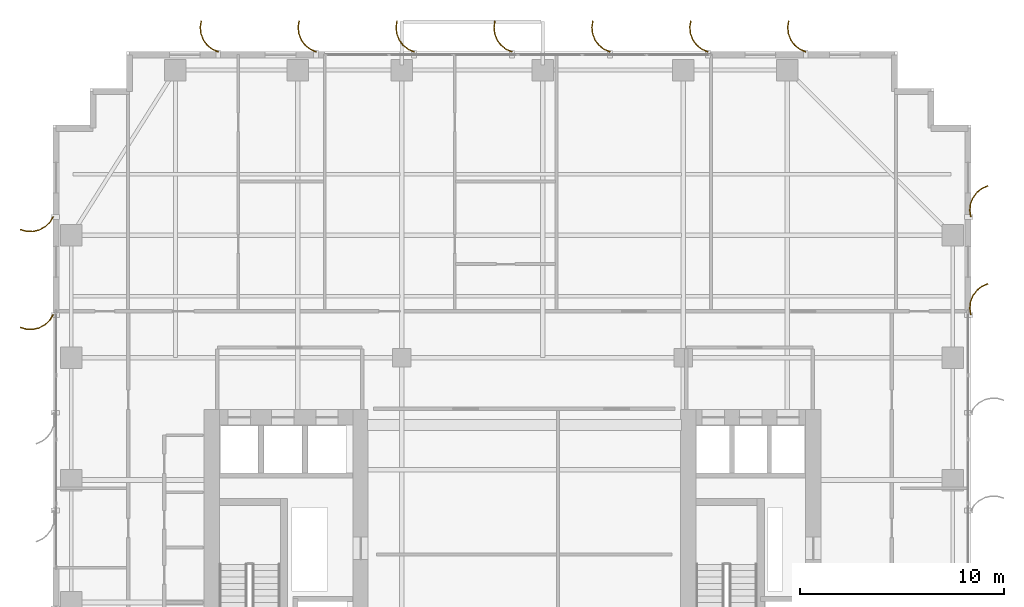
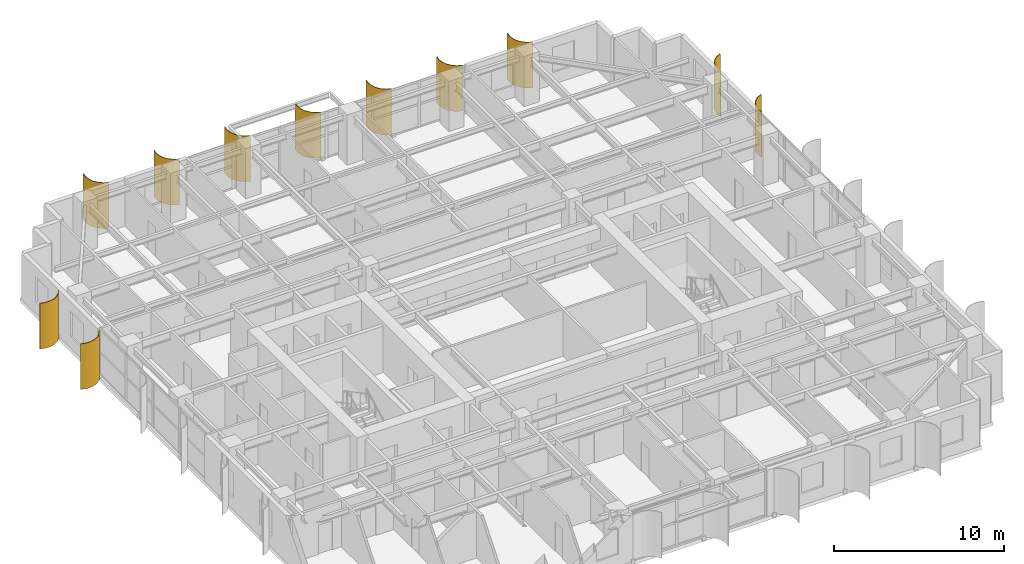
# One storey, part 25 of 25: 11 shading devices.
"""IFC4 building model written with IfcOpenShell, lengths in metres."""

from ifc_helpers import new_model, si_unit, direction, frame, origin, place, context, subcontext, project, spatial, polyline, outline, extrude, source, transform, mapped, material, layer, layer_set, type_object, element, save


model = new_model("IFC4")

# Units and contexts
model_context = context("Model", 3, precision=1e-05, world=origin(), true_north=direction((0.0, 1.0)))
body_context = subcontext(model_context, "Body", "Model", "MODEL_VIEW")
ifc_project = project(units=[si_unit("LENGTHUNIT", "METRE"), si_unit("AREAUNIT", "SQUARE_METRE"), si_unit("VOLUMEUNIT", "CUBIC_METRE"), si_unit("PLANEANGLEUNIT", "RADIAN"), si_unit("MASSUNIT", "GRAM", prefix="KILO")], contexts=[model_context])

# Site, building, storey
site_placement = place(None, origin())
site = spatial("IfcSite", under=ifc_project, at=site_placement, CompositionType="ELEMENT")
building_placement = place(site_placement, origin())
building = spatial("IfcBuilding", under=site, at=building_placement, Name="Khoralis Quay Care Tower", CompositionType="ELEMENT")
storey_placement = place(building_placement, frame((0.0, 0.0, 134.10009765625)))
storey = spatial("IfcBuildingStorey", under=building, at=storey_placement, Name="L35", CompositionType="ELEMENT", Elevation=134.10009765625)

# Shading devices
ifc_material = material(Name="Brushed pale anodised aluminium", Category="aluminium")
ifc_layer = layer(ifc_material, 0.044921875)
ifc_layer_set = layer_set([ifc_layer], Name="Brushed pale anodised aluminium")
shading_device_type = type_object("IfcShadingDeviceType", Name="SHD-FIN-1250", PredefinedType="USERDEFINED", material=ifc_layer_set)
shared_shape_1 = source(origin(), body_context, "Body", "SweptSolid", [
    extrude(outline(polyline([(0.0, 0.0), (0.17041015625, 0.2783203125), (0.4072265625, 0.5029296875), (0.694091796875, 0.658447265625), (1.01123046875, 0.734619140625), (1.33740234375, 0.72607421875), (1.650390625, 0.633544921875), (1.632080078125, 0.59228515625), (1.330322265625, 0.681640625), (1.015869140625, 0.68994140625), (0.710205078125, 0.616455078125), (0.43359375, 0.466552734375), (0.20556640625, 0.25), (0.041015625, -0.018310546875), (0.0, 0.0)])), origin(), (0.0, 0.0, 1.0), 3.27978515625),
])
for number, where, z_axis, x_axis, name in (
    (1, (0.030029296875, 36.89990234375, 0.02001953125), (0.0, 0.0, 1.0), (-1.0, 0.0, 0.0), "L35 Curved Solar Fin P1E15-01"),
    (2, (0.030029296875, 32.10009765625, 0.02001953125), (0.0, 0.0, 1.0), (-1.0, 0.0, 0.0), "L35 Curved Solar Fin P1E15-02"),
):
    element("IfcShadingDevice", number, at=place(storey_placement, frame(where, z_axis=z_axis, x_axis=x_axis)), inside=storey, type_object=shading_device_type, Name=name, ObjectType="FIN", PredefinedType="USERDEFINED", context=body_context, shape_type="MappedRepresentation", body=[
        mapped(shared_shape_1, transform((0.0, 0.0, 0.0), scale=1.0)),
    ])
shared_shape_2 = source(origin(), body_context, "Body", "SweptSolid", [
    extrude(outline(polyline([(0.0, 0.0), (-0.04833984375, 0.32275390625), (-0.01123046875, 0.64697265625), (0.1083984375, 0.950439453125), (0.302490234375, 1.212890625), (0.557861328125, 1.416015625), (0.85693359375, 1.546142578125), (0.869384765625, 1.5029296875), (0.5810546875, 1.37744140625), (0.334716796875, 1.181640625), (0.147705078125, 0.9287109375), (0.032470703125, 0.635986328125), (-0.003173828125, 0.323486328125), (0.043212890625, 0.012451171875), (0.0, 0.0)])), origin(), (0.0, 0.0, 1.0), 3.27978515625),
])
for number, where, z_axis, x_axis, name in (
    (3, (44.969970703125, 32.10009765625, 0.02001953125), (0.0, 0.0, 1.0), (1.0, 0.0, 0.0), "L35 Curved Solar Fin P1E5-06"),
    (4, (44.969970703125, 36.89990234375, 0.02001953125), (0.0, 0.0, 1.0), (1.0, 0.0, 0.0), "L35 Curved Solar Fin P1E5-07"),
):
    element("IfcShadingDevice", number, at=place(storey_placement, frame(where, z_axis=z_axis, x_axis=x_axis)), inside=storey, type_object=shading_device_type, Name=name, ObjectType="FIN", PredefinedType="USERDEFINED", context=body_context, shape_type="MappedRepresentation", body=[
        mapped(shared_shape_2, transform((0.0, 0.0, 0.0), scale=1.0)),
    ])
shared_shape_3 = source(origin(), body_context, "Body", "SweptSolid", [
    extrude(outline(polyline([(0.0, 0.0), (0.130126953125, 0.29931640625), (0.333251953125, 0.5546875), (0.595458984375, 0.748779296875), (0.899169921875, 0.868408203125), (1.223388671875, 0.9052734375), (1.546142578125, 0.85693359375), (1.53369140625, 0.813720703125), (1.22265625, 0.8603515625), (0.91015625, 0.82470703125), (0.617431640625, 0.70947265625), (0.364501953125, 0.522216796875), (0.168701171875, 0.276123046875), (0.043212890625, -0.012451171875), (0.0, 0.0)])), origin(), (0.0, 0.0, 1.0), 3.27978515625),
])
for number, where, z_axis, x_axis, name in (
    (5, (36.89990234375, 44.969970703125, 0.02001953125), (0.0, 0.0, 1.0), (0.0, 1.0, 0.0), "L35 Curved Solar Fin P1E10-01"),
    (6, (32.10009765625, 44.969970703125, 0.02001953125), (0.0, 0.0, 1.0), (0.0, 1.0, 0.0), "L35 Curved Solar Fin P1E10-02"),
    (7, (27.300048828125, 44.969970703125, 0.02001953125), (0.0, 0.0, 1.0), (0.0, 1.0, 0.0), "L35 Curved Solar Fin P1E10-03"),
    (8, (22.5, 44.969970703125, 0.02001953125), (0.0, 0.0, 1.0), (0.0, 1.0, 0.0), "L35 Curved Solar Fin P1E10-04"),
    (9, (17.699951171875, 44.969970703125, 0.02001953125), (0.0, 0.0, 1.0), (0.0, 1.0, 0.0), "L35 Curved Solar Fin P1E10-05"),
    (10, (12.89990234375, 44.969970703125, 0.02001953125), (0.0, 0.0, 1.0), (0.0, 1.0, 0.0), "L35 Curved Solar Fin P1E10-06"),
    (11, (8.10009765625, 44.969970703125, 0.02001953125), (0.0, 0.0, 1.0), (0.0, 1.0, 0.0), "L35 Curved Solar Fin P1E10-07"),
):
    element("IfcShadingDevice", number, at=place(storey_placement, frame(where, z_axis=z_axis, x_axis=x_axis)), inside=storey, type_object=shading_device_type, Name=name, ObjectType="FIN", PredefinedType="USERDEFINED", context=body_context, shape_type="MappedRepresentation", body=[
        mapped(shared_shape_3, transform((0.0, 0.0, 0.0), scale=1.0)),
    ])

save(model, "model.ifc")
